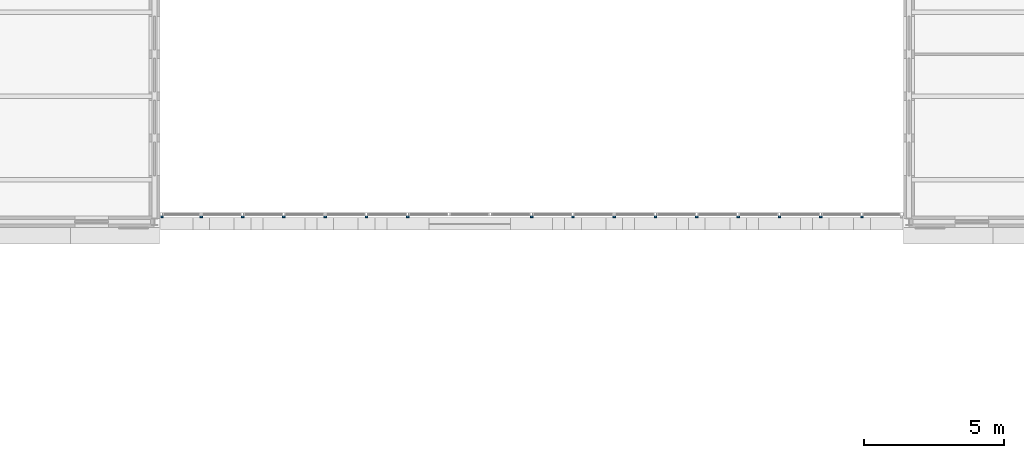
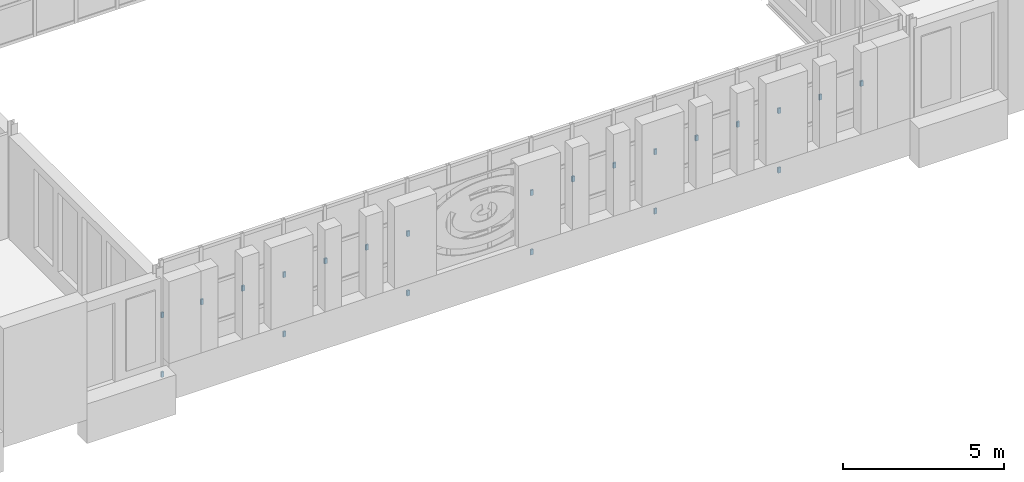
# One storey, part 101 of 131: 22 discrete accessories.
"""IFC4 building model written with IfcOpenShell, lengths in metres."""

from ifc_helpers import new_model, si_unit, direction, frame, origin, origin_2d, place, context, subcontext, project, spatial, rectangle, extrude, material, type_object, element, save


model = new_model("IFC4")

# Units and contexts
model_context = context("Model", 3, precision=1e-05, world=origin(), true_north=direction((0.0, 1.0)))
body_context = subcontext(model_context, "Body", "Model", "MODEL_VIEW")
ifc_project = project(units=[si_unit("LENGTHUNIT", "METRE"), si_unit("AREAUNIT", "SQUARE_METRE"), si_unit("VOLUMEUNIT", "CUBIC_METRE"), si_unit("PLANEANGLEUNIT", "RADIAN"), si_unit("MASSUNIT", "GRAM", prefix="KILO")], contexts=[model_context])

# Site, building, storey
site_placement = place(None, origin())
site = spatial("IfcSite", under=ifc_project, at=site_placement, CompositionType="ELEMENT")
building_placement = place(site_placement, origin())
building = spatial("IfcBuilding", under=site, at=building_placement, Name="Golden Quay Civic Hall", CompositionType="ELEMENT")
storey_placement = place(building_placement, frame((0.0, 0.0, 9.89990234375)))
storey = spatial("IfcBuildingStorey", under=building, at=storey_placement, Name="L02", CompositionType="ELEMENT", Elevation=9.89990234375)

# Discrete accessories
ifc_material = material(Name="Steel S355", Category="steel")
discrete_accessory_type = type_object("IfcDiscreteAccessoryType", Name="Hall screen bracket 100 x 200", PredefinedType="BRACKET", material=ifc_material)
discrete_accessory_1_placement = place(storey_placement, frame((72.264892578125, 0.179931640625, -0.10009765625), z_axis=(0.0, 0.0, 1.0), x_axis=(1.0, 0.0, 0.0)))
element("IfcDiscreteAccessory", 1, at=discrete_accessory_1_placement, inside=storey, type_object=discrete_accessory_type, Name="Hall screen bracket 0", PredefinedType="BRACKET", context=body_context, shape_type="SweptSolid", body=[
    extrude(rectangle(XDim=0.090087890625, YDim=0.06005859375, at=origin_2d()), origin(), (0.0, 0.0, 1.0), 0.199951171875),
])
for number, where, z_axis, x_axis, name in (
    (2, (76.633056640625, 0.179931640625, -0.10009765625), (0.0, 0.0, 1.0), (1.0, 0.0, 0.0), "Hall screen bracket 3"),
    (3, (81.06689453125, 0.179931640625, -0.10009765625), (0.0, 0.0, 1.0), (1.0, 0.0, 0.0), "Hall screen bracket 6"),
    (4, (85.5, 0.179931640625, -0.10009765625), (0.0, 0.0, 1.0), (1.0, 0.0, 0.0), "Hall screen bracket 9"),
    (5, (89.93310546875, 0.179931640625, -0.10009765625), (0.0, 0.0, 1.0), (1.0, 0.0, 0.0), "Hall screen bracket 12"),
    (6, (94.366943359375, 0.179931640625, -0.10009765625), (0.0, 0.0, 1.0), (1.0, 0.0, 0.0), "Hall screen bracket 15"),
):
    element("IfcDiscreteAccessory", number, at=place(storey_placement, frame(where, z_axis=z_axis, x_axis=x_axis)), inside=storey, type_object=discrete_accessory_type, Name=name, PredefinedType="BRACKET", context=body_context, shape_type="SweptSolid", body=[
        extrude(rectangle(XDim=0.10009765625, YDim=0.06005859375, at=origin_2d()), origin(), (0.0, 0.0, 1.0), 0.199951171875),
    ])
discrete_accessory_2_placement = place(storey_placement, frame((72.264892578125, 0.179931640625, 2.14990234375), z_axis=(0.0, 0.0, 1.0), x_axis=(1.0, 0.0, 0.0)))
element("IfcDiscreteAccessory", 7, at=discrete_accessory_2_placement, inside=storey, type_object=discrete_accessory_type, Name="Hall screen bracket 0", PredefinedType="BRACKET", context=body_context, shape_type="SweptSolid", body=[
    extrude(rectangle(XDim=0.090087890625, YDim=0.06005859375, at=origin_2d()), origin(), (0.0, 0.0, 1.0), 0.199951171875),
])
for number, where, z_axis, x_axis, name in (
    (8, (76.633056640625, 0.179931640625, 2.14990234375), (0.0, 0.0, 1.0), (1.0, 0.0, 0.0), "Hall screen bracket 3"),
    (9, (81.06689453125, 0.179931640625, 2.14990234375), (0.0, 0.0, 1.0), (1.0, 0.0, 0.0), "Hall screen bracket 6"),
    (10, (85.5, 0.179931640625, 2.14990234375), (0.0, 0.0, 1.0), (1.0, 0.0, 0.0), "Hall screen bracket 9"),
    (11, (89.93310546875, 0.179931640625, 2.14990234375), (0.0, 0.0, 1.0), (1.0, 0.0, 0.0), "Hall screen bracket 12"),
    (12, (94.366943359375, 0.179931640625, 2.14990234375), (0.0, 0.0, 1.0), (1.0, 0.0, 0.0), "Hall screen bracket 15"),
    (13, (73.677978515625, 0.179931640625, 2.14990234375), (0.0, 0.0, 1.0), (1.0, 0.0, 0.0), "Hall screen bracket 1"),
    (14, (75.156005859375, 0.179931640625, 2.14990234375), (0.0, 0.0, 1.0), (1.0, 0.0, 0.0), "Hall screen bracket 2"),
    (15, (78.111083984375, 0.179931640625, 2.14990234375), (0.0, 0.0, 1.0), (1.0, 0.0, 0.0), "Hall screen bracket 4"),
    (16, (79.589111328125, 0.179931640625, 2.14990234375), (0.0, 0.0, 1.0), (1.0, 0.0, 0.0), "Hall screen bracket 5"),
    (17, (86.97802734375, 0.179931640625, 2.14990234375), (0.0, 0.0, 1.0), (1.0, 0.0, 0.0), "Hall screen bracket 10"),
    (18, (88.4560546875, 0.179931640625, 2.14990234375), (0.0, 0.0, 1.0), (1.0, 0.0, 0.0), "Hall screen bracket 11"),
    (19, (91.410888671875, 0.179931640625, 2.14990234375), (0.0, 0.0, 1.0), (1.0, 0.0, 0.0), "Hall screen bracket 13"),
    (20, (92.888916015625, 0.179931640625, 2.14990234375), (0.0, 0.0, 1.0), (1.0, 0.0, 0.0), "Hall screen bracket 14"),
    (21, (95.843994140625, 0.179931640625, 2.14990234375), (0.0, 0.0, 1.0), (1.0, 0.0, 0.0), "Hall screen bracket 16"),
    (22, (97.322021484375, 0.179931640625, 2.14990234375), (0.0, 0.0, 1.0), (1.0, 0.0, 0.0), "Hall screen bracket 17"),
):
    element("IfcDiscreteAccessory", number, at=place(storey_placement, frame(where, z_axis=z_axis, x_axis=x_axis)), inside=storey, type_object=discrete_accessory_type, Name=name, PredefinedType="BRACKET", context=body_context, shape_type="SweptSolid", body=[
        extrude(rectangle(XDim=0.10009765625, YDim=0.06005859375, at=origin_2d()), origin(), (0.0, 0.0, 1.0), 0.199951171875),
    ])

save(model, "model.ifc")
